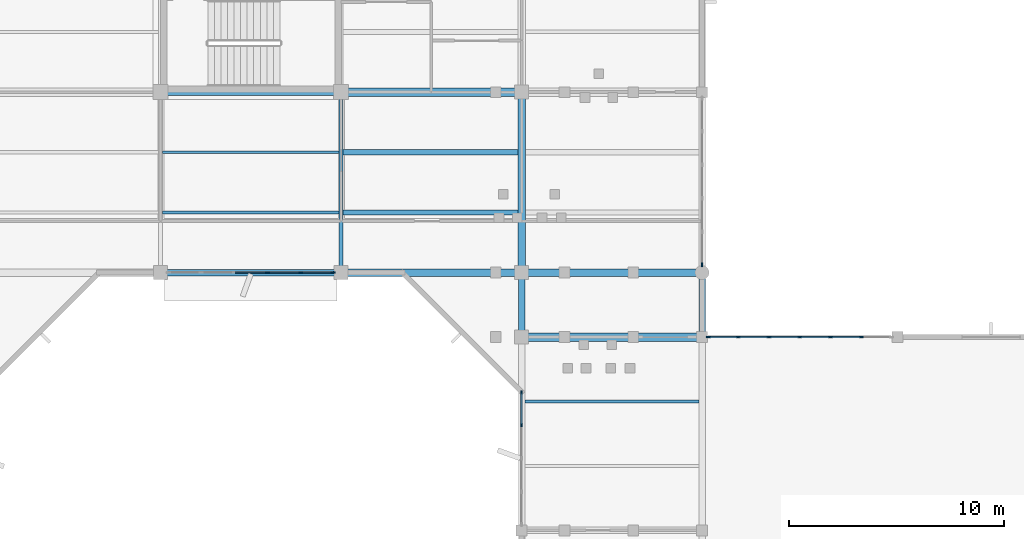
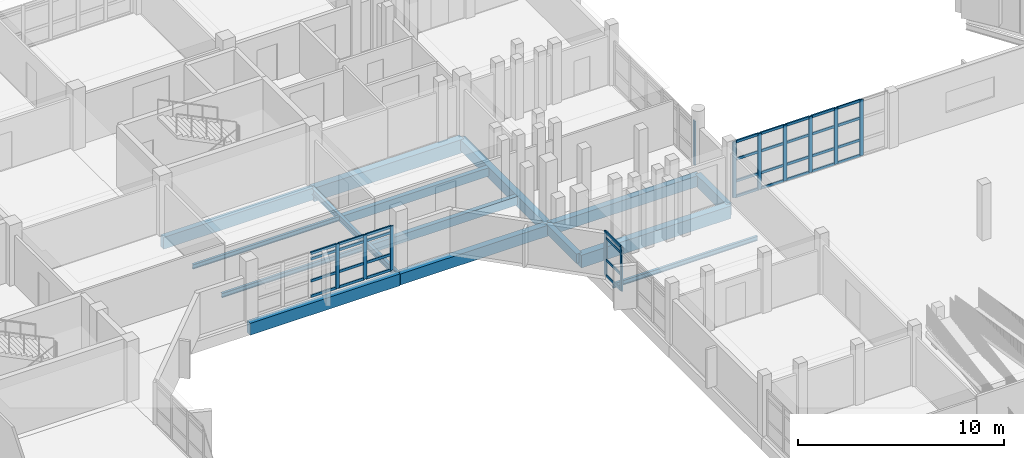
# One storey, part 40 of 104: 48 members, 15 beams, 4 elements without a shape of their own.
"""IFC4 building model written with IfcOpenShell, lengths in metres."""

from ifc_helpers import new_model, si_unit, direction, frame, origin, origin_2d, place, context, subcontext, project, spatial, rectangle, i_section, extrude, material, material_profile, profile_set, type_object, element, aggregate, save


model = new_model("IFC4")

# Units and contexts
model_context = context("Model", 3, precision=1e-05, world=origin(), true_north=direction((0.0, 1.0)))
body_context = subcontext(model_context, "Body", "Model", "MODEL_VIEW")
ifc_project = project(units=[si_unit("LENGTHUNIT", "METRE"), si_unit("AREAUNIT", "SQUARE_METRE"), si_unit("VOLUMEUNIT", "CUBIC_METRE"), si_unit("PLANEANGLEUNIT", "RADIAN"), si_unit("MASSUNIT", "GRAM", prefix="KILO")], contexts=[model_context])

# Site, building, storey
site_placement = place(None, origin())
site = spatial("IfcSite", under=ifc_project, at=site_placement, CompositionType="ELEMENT")
building_placement = place(site_placement, origin())
building = spatial("IfcBuilding", under=site, at=building_placement, Name="Vanh Quang Courtyard School", CompositionType="ELEMENT")
storey_placement = place(building_placement, frame((0.0, 0.0, 4.199951171875)))
storey = spatial("IfcBuildingStorey", under=building, at=storey_placement, Name="L01", CompositionType="ELEMENT", Elevation=4.199951171875)

# Beams
ifc_material_1 = material(Name="Concrete C35/45", Category="concrete")
ifc_material_profile_1 = material_profile(ifc_material_1, rectangle(XDim=0.300048828125, YDim=0.550048828125, at=origin_2d()), Name="RC-BM 300x550")
ifc_profile_set_1 = profile_set([ifc_material_profile_1], Name="Concrete C35/45")
beam_type_1 = type_object("IfcBeamType", Name="BM-RC-300x550", PredefinedType="BEAM", material=ifc_profile_set_1)
beam_1_placement = place(storey_placement, frame((111.0, 68.39990234375, -0.554931640625), z_axis=(0.0, 1.0, 0.0), x_axis=(-1.0, 0.0, 0.0)))
element("IfcBeam", 1, at=beam_1_placement, inside=storey, type_object=beam_type_1, Name="Beam B-07 (L01)", PredefinedType="BEAM", context=body_context, shape_type="SweptSolid", body=[
    extrude(rectangle(XDim=0.300048828125, YDim=0.550048828125, at=origin_2d()), origin(), (0.0, 0.0, 1.0), 3.0),
])
ifc_material_profile_2 = material_profile(ifc_material_1, rectangle(XDim=0.35009765625, YDim=0.64990234375, at=origin_2d()), Name="RC-BM 350x650")
ifc_profile_set_2 = profile_set([ifc_material_profile_2], Name="Concrete C35/45")
beam_type_2 = type_object("IfcBeamType", Name="BM-RC-350x650", PredefinedType="BEAM", material=ifc_profile_set_2)
for number, where, z_axis, x_axis, name in (
    (2, (102.60009765625, 71.39990234375, -0.60498046875), (1.0, 0.0, 0.0), (0.0, 1.0, 0.0), "Beam B-05 (L01)"),
    (3, (111.0, 71.39990234375, -0.60498046875), (1.0, 0.0, 0.0), (0.0, 1.0, 0.0), "Beam B-05 (L01)"),
):
    element("IfcBeam", number, at=place(storey_placement, frame(where, z_axis=z_axis, x_axis=x_axis)), inside=storey, type_object=beam_type_2, Name=name, PredefinedType="BEAM", context=body_context, shape_type="SweptSolid", body=[
        extrude(rectangle(XDim=0.35009765625, YDim=0.64990234375, at=origin_2d()), origin(), (0.0, 0.0, 1.0), 8.39990234375),
    ])
beam_2_placement = place(storey_placement, frame((111.0, 71.39990234375, -0.60498046875), z_axis=(0.0, 1.0, 0.0), x_axis=(-1.0, 0.0, 0.0)))
element("IfcBeam", 4, at=beam_2_placement, inside=storey, type_object=beam_type_2, Name="Beam B-05 (L01)", PredefinedType="BEAM", context=body_context, shape_type="SweptSolid", body=[
    extrude(rectangle(XDim=0.35009765625, YDim=0.64990234375, at=origin_2d()), origin(), (0.0, 0.0, 1.0), 8.400146484375),
])
ifc_material_profile_3 = material_profile(ifc_material_1, rectangle(XDim=0.39990234375, YDim=0.75, at=origin_2d()), Name="RC-BM 400x750")
ifc_profile_set_3 = profile_set([ifc_material_profile_3], Name="Concrete C35/45")
beam_type_3 = type_object("IfcBeamType", Name="BM-RC-400x750", PredefinedType="BEAM", material=ifc_profile_set_3)
beam_3_placement = place(storey_placement, frame((111.0, 68.39990234375, -0.655029296875), z_axis=(1.0, 0.0, 0.0), x_axis=(0.0, 1.0, 0.0)))
element("IfcBeam", 5, at=beam_3_placement, inside=storey, type_object=beam_type_3, Name="Beam B-03 (L01)", PredefinedType="BEAM", context=body_context, shape_type="SweptSolid", body=[
    extrude(rectangle(XDim=0.39990234375, YDim=0.75, at=origin_2d()), origin(), (0.0, 0.0, 1.0), 8.39990234375),
])
ifc_material_profile_4 = material_profile(ifc_material_1, rectangle(XDim=0.39990234375, YDim=0.800048828125, at=origin_2d()), Name="RC-BM 400x800")
ifc_profile_set_4 = profile_set([ifc_material_profile_4], Name="Concrete C35/45")
beam_type_4 = type_object("IfcBeamType", Name="BM-RC-400x800", PredefinedType="BEAM", material=ifc_profile_set_4)
beam_4_placement = place(storey_placement, frame((102.60009765625, 79.800048828125, -0.679931640625), z_axis=(1.0, 0.0, 0.0), x_axis=(0.0, 1.0, 0.0)))
element("IfcBeam", 6, at=beam_4_placement, inside=storey, type_object=beam_type_4, Name="Beam B-02 (L01)", PredefinedType="BEAM", context=body_context, shape_type="SweptSolid", body=[
    extrude(rectangle(XDim=0.39990234375, YDim=0.800048828125, at=origin_2d()), origin(), (0.0, 0.0, 1.0), 8.39990234375),
])
ifc_material_profile_5 = material_profile(ifc_material_1, rectangle(XDim=0.300048828125, YDim=0.699951171875, at=origin_2d()), Name="RC-SP 300x700")
ifc_profile_set_5 = profile_set([ifc_material_profile_5], Name="Concrete C35/45")
beam_type_5 = type_object("IfcBeamType", Name="BM-SP-300x700", PredefinedType="SPANDREL", material=ifc_profile_set_5)
for number, where, z_axis, x_axis, name in (
    (7, (94.199951171875, 71.39990234375, -0.6298828125), (1.0, 0.0, 0.0), (0.0, 1.0, 0.0), "Beam BS-01 (L01)"),
    (8, (94.199951171875, 79.800048828125, -0.6298828125), (1.0, 0.0, 0.0), (0.0, 1.0, 0.0), "Beam BS-01 (L01)"),
):
    element("IfcBeam", number, at=place(storey_placement, frame(where, z_axis=z_axis, x_axis=x_axis)), inside=storey, type_object=beam_type_5, Name=name, PredefinedType="SPANDREL", context=body_context, shape_type="SweptSolid", body=[
        extrude(rectangle(XDim=0.300048828125, YDim=0.699951171875, at=origin_2d()), origin(), (0.0, 0.0, 1.0), 8.400146484375),
    ])
beam_5_placement = place(storey_placement, frame((119.39990234375, 68.39990234375, -0.6298828125), z_axis=(0.0, 1.0, 0.0), x_axis=(-1.0, 0.0, 0.0)))
element("IfcBeam", 9, at=beam_5_placement, inside=storey, type_object=beam_type_5, Name="Beam BS-01 (L01)", PredefinedType="SPANDREL", context=body_context, shape_type="SweptSolid", body=[
    extrude(rectangle(XDim=0.300048828125, YDim=0.699951171875, at=origin_2d()), origin(), (0.0, 0.0, 1.0), 3.0),
])
ifc_material_2 = material(Name="Structural steel EN 10025-2 S355J2", Category="steel")
ifc_material_profile_6 = material_profile(ifc_material_2, i_section(OverallWidth=0.169921875, OverallDepth=0.360107421875, WebThickness=0.008056640625, FlangeThickness=0.0126953125, FilletRadius=0.01806640625, at=origin_2d()), Name="IPE 360")
ifc_profile_set_6 = profile_set([ifc_material_profile_6], Name="Structural steel EN 10025-2 S355J2")
beam_type_6 = type_object("IfcBeamType", Name="BM-STL-IPE360", PredefinedType="BEAM", material=ifc_profile_set_6)
beam_6_placement = place(storey_placement, frame((102.60009765625, 71.39990234375, -0.4599609375), z_axis=(0.0, 1.0, 0.0), x_axis=(-1.0, 0.0, 0.0)))
element("IfcBeam", 10, at=beam_6_placement, inside=storey, type_object=beam_type_6, Name="Beam SB-06 (L01)", PredefinedType="BEAM", context=body_context, shape_type="SweptSolid", body=[
    extrude(i_section(OverallWidth=0.169921875, OverallDepth=0.360107421875, WebThickness=0.008056640625, FlangeThickness=0.0126953125, FilletRadius=0.01806640625, at=origin_2d()), origin(), (0.0, 0.0, 1.0), 8.400146484375),
])

# Curtain wall, member
ifc_material_3 = material(Name="Thermally broken aluminium unitised curtain wall", Category="aluminium")
curtain_wall_type_1 = type_object("IfcCurtainWallType", Name="CW-SYS-24", PredefinedType="NOTDEFINED", material=ifc_material_3)
curtain_wall_1_placement = place(storey_placement, origin())
curtain_wall_1 = element("IfcCurtainWall", 11, at=curtain_wall_1_placement, inside=storey, type_object=curtain_wall_type_1, Name="Curtain Wall CW-24 (L01)", PredefinedType="NOTDEFINED")
ifc_material_4 = material(Name="Anodised aluminium 6063-T6", Category="aluminium")
ifc_material_profile_7 = material_profile(ifc_material_4, rectangle(XDim=0.070068359375, YDim=0.179931640625, at=origin_2d()), Name="ALU-MUL 70x180")
ifc_profile_set_7 = profile_set([ifc_material_profile_7], Name="Anodised aluminium 6063-T6")
member_type_1 = type_object("IfcMemberType", Name="CW-MUL-70x180", PredefinedType="MULLION", material=ifc_profile_set_7)
member_1_placement = place(storey_placement, frame((119.39990234375, 71.76806640625, 0.0), z_axis=(0.0, 0.0, 1.0), x_axis=(1.0, 0.0, 0.0)))
member_1 = element("IfcMember", 12, at=member_1_placement, type_object=member_type_1, Name="CW-24 mullion 6", PredefinedType="MULLION", context=body_context, shape_type="SweptSolid", body=[
    extrude(rectangle(XDim=0.070068359375, YDim=0.179931640625, at=origin_2d()), origin(), (0.0, 0.0, 1.0), 2.6201171875),
])
aggregate(curtain_wall_1, [member_1])

# Curtain wall, members
curtain_wall_type_2 = type_object("IfcCurtainWallType", Name="CW-SYS-44", PredefinedType="NOTDEFINED", material=ifc_material_3)
curtain_wall_2_placement = place(storey_placement, origin())
curtain_wall_2 = element("IfcCurtainWall", 13, at=curtain_wall_2_placement, inside=storey, type_object=curtain_wall_type_2, Name="Curtain Wall CW-44 (L01)", PredefinedType="NOTDEFINED")
member_2_placement = place(storey_placement, frame((111.0, 64.306396484375, 0.0), z_axis=(0.0, 0.0, 1.0), x_axis=(-1.0, 0.0, 0.0)))
member_2 = element("IfcMember", 14, at=member_2_placement, type_object=member_type_1, Name="CW-44 mullion 4", PredefinedType="MULLION", context=body_context, shape_type="SweptSolid", body=[
    extrude(rectangle(XDim=0.070068359375, YDim=0.179931640625, at=origin_2d()), origin(), (0.0, 0.0, 1.0), 2.6201171875),
])
member_3_placement = place(storey_placement, frame((111.0, 65.821044921875, 0.0), z_axis=(0.0, 0.0, 1.0), x_axis=(-1.0, 0.0, 0.0)))
member_3 = element("IfcMember", 15, at=member_3_placement, type_object=member_type_1, Name="CW-44 mullion 5", PredefinedType="MULLION", context=body_context, shape_type="SweptSolid", body=[
    extrude(rectangle(XDim=0.070068359375, YDim=0.179931640625, at=origin_2d()), origin(), (0.0, 0.0, 1.0), 2.6201171875),
])

curtain_wall_type_3 = type_object("IfcCurtainWallType", Name="CW-SYS-25", PredefinedType="NOTDEFINED", material=ifc_material_3)
curtain_wall_3_placement = place(storey_placement, origin())
curtain_wall_3 = element("IfcCurtainWall", 16, at=curtain_wall_3_placement, inside=storey, type_object=curtain_wall_type_3, Name="Curtain Wall CW-25 (L01)", PredefinedType="NOTDEFINED")
ifc_material_profile_8 = material_profile(ifc_material_4, rectangle(XDim=0.080078125, YDim=0.199951171875, at=origin_2d()), Name="ALU-MUL 80x200")
ifc_profile_set_8 = profile_set([ifc_material_profile_8], Name="Anodised aluminium 6063-T6")
member_type_2 = type_object("IfcMemberType", Name="CW-MUL-80x200", PredefinedType="MULLION", material=ifc_profile_set_8)
member_4_placement = place(storey_placement, frame((119.697998046875, 68.39990234375, 0.0), z_axis=(0.0, 0.0, 1.0), x_axis=(0.0, 1.0, 0.0)))
member_4 = element("IfcMember", 17, at=member_4_placement, type_object=member_type_2, Name="CW-25 mullion 1", PredefinedType="MULLION", context=body_context, shape_type="SweptSolid", body=[
    extrude(rectangle(XDim=0.080078125, YDim=0.199951171875, at=origin_2d()), origin(), (0.0, 0.0, 1.0), 3.320068359375),
])
member_5_placement = place(storey_placement, frame((121.088623046875, 68.39990234375, 0.0), z_axis=(0.0, 0.0, 1.0), x_axis=(0.0, 1.0, 0.0)))
member_5 = element("IfcMember", 18, at=member_5_placement, type_object=member_type_2, Name="CW-25 mullion 2", PredefinedType="MULLION", context=body_context, shape_type="SweptSolid", body=[
    extrude(rectangle(XDim=0.080078125, YDim=0.199951171875, at=origin_2d()), origin(), (0.0, 0.0, 1.0), 3.320068359375),
])
member_6_placement = place(storey_placement, frame((122.519287109375, 68.39990234375, 0.0), z_axis=(0.0, 0.0, 1.0), x_axis=(0.0, 1.0, 0.0)))
member_6 = element("IfcMember", 19, at=member_6_placement, type_object=member_type_2, Name="CW-25 mullion 3", PredefinedType="MULLION", context=body_context, shape_type="SweptSolid", body=[
    extrude(rectangle(XDim=0.080078125, YDim=0.199951171875, at=origin_2d()), origin(), (0.0, 0.0, 1.0), 3.320068359375),
])
member_7_placement = place(storey_placement, frame((123.949951171875, 68.39990234375, 0.0), z_axis=(0.0, 0.0, 1.0), x_axis=(0.0, 1.0, 0.0)))
member_7 = element("IfcMember", 20, at=member_7_placement, type_object=member_type_2, Name="CW-25 mullion 4", PredefinedType="MULLION", context=body_context, shape_type="SweptSolid", body=[
    extrude(rectangle(XDim=0.080078125, YDim=0.199951171875, at=origin_2d()), origin(), (0.0, 0.0, 1.0), 3.320068359375),
])
member_8_placement = place(storey_placement, frame((125.380615234375, 68.39990234375, 0.0), z_axis=(0.0, 0.0, 1.0), x_axis=(0.0, 1.0, 0.0)))
member_8 = element("IfcMember", 21, at=member_8_placement, type_object=member_type_2, Name="CW-25 mullion 5", PredefinedType="MULLION", context=body_context, shape_type="SweptSolid", body=[
    extrude(rectangle(XDim=0.080078125, YDim=0.199951171875, at=origin_2d()), origin(), (0.0, 0.0, 1.0), 3.320068359375),
])
member_9_placement = place(storey_placement, frame((126.811279296875, 68.39990234375, 0.0), z_axis=(0.0, 0.0, 1.0), x_axis=(0.0, 1.0, 0.0)))
member_9 = element("IfcMember", 22, at=member_9_placement, type_object=member_type_2, Name="CW-25 mullion 6", PredefinedType="MULLION", context=body_context, shape_type="SweptSolid", body=[
    extrude(rectangle(XDim=0.080078125, YDim=0.199951171875, at=origin_2d()), origin(), (0.0, 0.0, 1.0), 3.320068359375),
])

curtain_wall_type_4 = type_object("IfcCurtainWallType", Name="CW-SYS-21", PredefinedType="NOTDEFINED", material=ifc_material_3)
curtain_wall_4_placement = place(storey_placement, origin())
curtain_wall_4 = element("IfcCurtainWall", 23, at=curtain_wall_4_placement, inside=storey, type_object=curtain_wall_type_4, Name="Curtain Wall CW-21 (L01)", PredefinedType="NOTDEFINED")
member_10_placement = place(storey_placement, frame((102.22705078125, 71.39990234375, 0.0), z_axis=(0.0, 0.0, 1.0), x_axis=(0.0, -1.0, 0.0)))
member_10 = element("IfcMember", 24, at=member_10_placement, type_object=member_type_2, Name="CW-21 mullion 1", PredefinedType="MULLION", context=body_context, shape_type="SweptSolid", body=[
    extrude(rectangle(XDim=0.080078125, YDim=0.199951171875, at=origin_2d()), origin(), (0.0, 0.0, 1.0), 2.6201171875),
])
member_11_placement = place(storey_placement, frame((100.72021484375, 71.39990234375, 0.0), z_axis=(0.0, 0.0, 1.0), x_axis=(0.0, -1.0, 0.0)))
member_11 = element("IfcMember", 25, at=member_11_placement, type_object=member_type_2, Name="CW-21 mullion 2", PredefinedType="MULLION", context=body_context, shape_type="SweptSolid", body=[
    extrude(rectangle(XDim=0.080078125, YDim=0.199951171875, at=origin_2d()), origin(), (0.0, 0.0, 1.0), 2.6201171875),
])
member_12_placement = place(storey_placement, frame((99.17333984375, 71.39990234375, 0.0), z_axis=(0.0, 0.0, 1.0), x_axis=(0.0, -1.0, 0.0)))
member_12 = element("IfcMember", 26, at=member_12_placement, type_object=member_type_2, Name="CW-21 mullion 3", PredefinedType="MULLION", context=body_context, shape_type="SweptSolid", body=[
    extrude(rectangle(XDim=0.080078125, YDim=0.199951171875, at=origin_2d()), origin(), (0.0, 0.0, 1.0), 2.6201171875),
])

# Member
ifc_material_profile_9 = material_profile(ifc_material_4, rectangle(XDim=0.070068359375, YDim=0.139892578125, at=origin_2d()), Name="ALU-TRN 70x140")
ifc_profile_set_9 = profile_set([ifc_material_profile_9], Name="Anodised aluminium 6063-T6")
member_type_3 = type_object("IfcMemberType", Name="CW-TRN-70x140", PredefinedType="USERDEFINED", material=ifc_profile_set_9)
member_13_placement = place(storey_placement, frame((111.0, 64.341552734375, 0.03515625), z_axis=(0.0, 1.0, 0.0), x_axis=(-1.0, 0.0, 0.0)))
member_13 = element("IfcMember", 27, at=member_13_placement, type_object=member_type_3, Name="CW-44 transom 4.1", ObjectType="TRANSOM", PredefinedType="USERDEFINED", context=body_context, shape_type="SweptSolid", body=[
    extrude(rectangle(XDim=0.070068359375, YDim=0.139892578125, at=origin_2d()), origin(), (0.0, 0.0, 1.0), 1.4443359375),
])

member_14_placement = place(storey_placement, frame((111.0, 64.341552734375, 0.949951171875), z_axis=(0.0, 1.0, 0.0), x_axis=(-1.0, 0.0, 0.0)))
member_14 = element("IfcMember", 28, at=member_14_placement, type_object=member_type_3, Name="CW-44 transom 4.2", ObjectType="TRANSOM", PredefinedType="USERDEFINED", context=body_context, shape_type="SweptSolid", body=[
    extrude(rectangle(XDim=0.070068359375, YDim=0.139892578125, at=origin_2d()), origin(), (0.0, 0.0, 1.0), 1.4443359375),
])

member_15_placement = place(storey_placement, frame((111.0, 64.341552734375, 2.25), z_axis=(0.0, 1.0, 0.0), x_axis=(-1.0, 0.0, 0.0)))
member_15 = element("IfcMember", 29, at=member_15_placement, type_object=member_type_3, Name="CW-44 transom 4.3", ObjectType="TRANSOM", PredefinedType="USERDEFINED", context=body_context, shape_type="SweptSolid", body=[
    extrude(rectangle(XDim=0.070068359375, YDim=0.139892578125, at=origin_2d()), origin(), (0.0, 0.0, 1.0), 1.4443359375),
])

member_16_placement = place(storey_placement, frame((111.0, 64.341552734375, 2.5849609375), z_axis=(0.0, 1.0, 0.0), x_axis=(-1.0, 0.0, 0.0)))
member_16 = element("IfcMember", 30, at=member_16_placement, type_object=member_type_3, Name="CW-44 transom 4.4", ObjectType="TRANSOM", PredefinedType="USERDEFINED", context=body_context, shape_type="SweptSolid", body=[
    extrude(rectangle(XDim=0.070068359375, YDim=0.139892578125, at=origin_2d()), origin(), (0.0, 0.0, 1.0), 1.4443359375),
])

aggregate(curtain_wall_2, [member_2, member_3, member_13, member_14, member_15, member_16])

ifc_material_profile_10 = material_profile(ifc_material_4, rectangle(XDim=0.080078125, YDim=0.14990234375, at=origin_2d()), Name="ALU-TRN 80x150")
ifc_profile_set_10 = profile_set([ifc_material_profile_10], Name="Anodised aluminium 6063-T6")
member_type_4 = type_object("IfcMemberType", Name="CW-TRN-80x150", PredefinedType="USERDEFINED", material=ifc_profile_set_10)
member_17_placement = place(storey_placement, frame((119.738037109375, 68.39990234375, 0.0400390625), z_axis=(1.0, 0.0, 0.0), x_axis=(0.0, 1.0, 0.0)))
member_17 = element("IfcMember", 31, at=member_17_placement, type_object=member_type_4, Name="CW-25 transom 1.1", ObjectType="TRANSOM", PredefinedType="USERDEFINED", context=body_context, shape_type="SweptSolid", body=[
    extrude(rectangle(XDim=0.080078125, YDim=0.14990234375, at=origin_2d()), origin(), (0.0, 0.0, 1.0), 1.310546875),
])

member_18_placement = place(storey_placement, frame((119.738037109375, 68.39990234375, 0.949951171875), z_axis=(1.0, 0.0, 0.0), x_axis=(0.0, 1.0, 0.0)))
member_18 = element("IfcMember", 32, at=member_18_placement, type_object=member_type_4, Name="CW-25 transom 1.2", ObjectType="TRANSOM", PredefinedType="USERDEFINED", context=body_context, shape_type="SweptSolid", body=[
    extrude(rectangle(XDim=0.080078125, YDim=0.14990234375, at=origin_2d()), origin(), (0.0, 0.0, 1.0), 1.310546875),
])

member_19_placement = place(storey_placement, frame((119.738037109375, 68.39990234375, 2.25), z_axis=(1.0, 0.0, 0.0), x_axis=(0.0, 1.0, 0.0)))
member_19 = element("IfcMember", 33, at=member_19_placement, type_object=member_type_4, Name="CW-25 transom 1.3", ObjectType="TRANSOM", PredefinedType="USERDEFINED", context=body_context, shape_type="SweptSolid", body=[
    extrude(rectangle(XDim=0.080078125, YDim=0.14990234375, at=origin_2d()), origin(), (0.0, 0.0, 1.0), 1.310546875),
])

member_20_placement = place(storey_placement, frame((119.738037109375, 68.39990234375, 3.280029296875), z_axis=(1.0, 0.0, 0.0), x_axis=(0.0, 1.0, 0.0)))
member_20 = element("IfcMember", 34, at=member_20_placement, type_object=member_type_4, Name="CW-25 transom 1.4", ObjectType="TRANSOM", PredefinedType="USERDEFINED", context=body_context, shape_type="SweptSolid", body=[
    extrude(rectangle(XDim=0.080078125, YDim=0.14990234375, at=origin_2d()), origin(), (0.0, 0.0, 1.0), 1.310546875),
])

member_21_placement = place(storey_placement, frame((121.128662109375, 68.39990234375, 0.0400390625), z_axis=(1.0, 0.0, 0.0), x_axis=(0.0, 1.0, 0.0)))
member_21 = element("IfcMember", 35, at=member_21_placement, type_object=member_type_4, Name="CW-25 transom 2.1", ObjectType="TRANSOM", PredefinedType="USERDEFINED", context=body_context, shape_type="SweptSolid", body=[
    extrude(rectangle(XDim=0.080078125, YDim=0.14990234375, at=origin_2d()), origin(), (0.0, 0.0, 1.0), 1.3505859375),
])

member_22_placement = place(storey_placement, frame((121.128662109375, 68.39990234375, 0.949951171875), z_axis=(1.0, 0.0, 0.0), x_axis=(0.0, 1.0, 0.0)))
member_22 = element("IfcMember", 36, at=member_22_placement, type_object=member_type_4, Name="CW-25 transom 2.2", ObjectType="TRANSOM", PredefinedType="USERDEFINED", context=body_context, shape_type="SweptSolid", body=[
    extrude(rectangle(XDim=0.080078125, YDim=0.14990234375, at=origin_2d()), origin(), (0.0, 0.0, 1.0), 1.3505859375),
])

member_23_placement = place(storey_placement, frame((121.128662109375, 68.39990234375, 2.25), z_axis=(1.0, 0.0, 0.0), x_axis=(0.0, 1.0, 0.0)))
member_23 = element("IfcMember", 37, at=member_23_placement, type_object=member_type_4, Name="CW-25 transom 2.3", ObjectType="TRANSOM", PredefinedType="USERDEFINED", context=body_context, shape_type="SweptSolid", body=[
    extrude(rectangle(XDim=0.080078125, YDim=0.14990234375, at=origin_2d()), origin(), (0.0, 0.0, 1.0), 1.3505859375),
])

member_24_placement = place(storey_placement, frame((121.128662109375, 68.39990234375, 3.280029296875), z_axis=(1.0, 0.0, 0.0), x_axis=(0.0, 1.0, 0.0)))
member_24 = element("IfcMember", 38, at=member_24_placement, type_object=member_type_4, Name="CW-25 transom 2.4", ObjectType="TRANSOM", PredefinedType="USERDEFINED", context=body_context, shape_type="SweptSolid", body=[
    extrude(rectangle(XDim=0.080078125, YDim=0.14990234375, at=origin_2d()), origin(), (0.0, 0.0, 1.0), 1.3505859375),
])

member_25_placement = place(storey_placement, frame((122.559326171875, 68.39990234375, 0.0400390625), z_axis=(1.0, 0.0, 0.0), x_axis=(0.0, 1.0, 0.0)))
member_25 = element("IfcMember", 39, at=member_25_placement, type_object=member_type_4, Name="CW-25 transom 3.1", ObjectType="TRANSOM", PredefinedType="USERDEFINED", context=body_context, shape_type="SweptSolid", body=[
    extrude(rectangle(XDim=0.080078125, YDim=0.14990234375, at=origin_2d()), origin(), (0.0, 0.0, 1.0), 1.3505859375),
])

member_26_placement = place(storey_placement, frame((122.559326171875, 68.39990234375, 0.949951171875), z_axis=(1.0, 0.0, 0.0), x_axis=(0.0, 1.0, 0.0)))
member_26 = element("IfcMember", 40, at=member_26_placement, type_object=member_type_4, Name="CW-25 transom 3.2", ObjectType="TRANSOM", PredefinedType="USERDEFINED", context=body_context, shape_type="SweptSolid", body=[
    extrude(rectangle(XDim=0.080078125, YDim=0.14990234375, at=origin_2d()), origin(), (0.0, 0.0, 1.0), 1.3505859375),
])

member_27_placement = place(storey_placement, frame((122.559326171875, 68.39990234375, 2.25), z_axis=(1.0, 0.0, 0.0), x_axis=(0.0, 1.0, 0.0)))
member_27 = element("IfcMember", 41, at=member_27_placement, type_object=member_type_4, Name="CW-25 transom 3.3", ObjectType="TRANSOM", PredefinedType="USERDEFINED", context=body_context, shape_type="SweptSolid", body=[
    extrude(rectangle(XDim=0.080078125, YDim=0.14990234375, at=origin_2d()), origin(), (0.0, 0.0, 1.0), 1.3505859375),
])

member_28_placement = place(storey_placement, frame((122.559326171875, 68.39990234375, 3.280029296875), z_axis=(1.0, 0.0, 0.0), x_axis=(0.0, 1.0, 0.0)))
member_28 = element("IfcMember", 42, at=member_28_placement, type_object=member_type_4, Name="CW-25 transom 3.4", ObjectType="TRANSOM", PredefinedType="USERDEFINED", context=body_context, shape_type="SweptSolid", body=[
    extrude(rectangle(XDim=0.080078125, YDim=0.14990234375, at=origin_2d()), origin(), (0.0, 0.0, 1.0), 1.3505859375),
])

member_29_placement = place(storey_placement, frame((123.989990234375, 68.39990234375, 0.0400390625), z_axis=(1.0, 0.0, 0.0), x_axis=(0.0, 1.0, 0.0)))
member_29 = element("IfcMember", 43, at=member_29_placement, type_object=member_type_4, Name="CW-25 transom 4.1", ObjectType="TRANSOM", PredefinedType="USERDEFINED", context=body_context, shape_type="SweptSolid", body=[
    extrude(rectangle(XDim=0.080078125, YDim=0.14990234375, at=origin_2d()), origin(), (0.0, 0.0, 1.0), 1.3505859375),
])

member_30_placement = place(storey_placement, frame((123.989990234375, 68.39990234375, 0.949951171875), z_axis=(1.0, 0.0, 0.0), x_axis=(0.0, 1.0, 0.0)))
member_30 = element("IfcMember", 44, at=member_30_placement, type_object=member_type_4, Name="CW-25 transom 4.2", ObjectType="TRANSOM", PredefinedType="USERDEFINED", context=body_context, shape_type="SweptSolid", body=[
    extrude(rectangle(XDim=0.080078125, YDim=0.14990234375, at=origin_2d()), origin(), (0.0, 0.0, 1.0), 1.3505859375),
])

member_31_placement = place(storey_placement, frame((123.989990234375, 68.39990234375, 2.25), z_axis=(1.0, 0.0, 0.0), x_axis=(0.0, 1.0, 0.0)))
member_31 = element("IfcMember", 45, at=member_31_placement, type_object=member_type_4, Name="CW-25 transom 4.3", ObjectType="TRANSOM", PredefinedType="USERDEFINED", context=body_context, shape_type="SweptSolid", body=[
    extrude(rectangle(XDim=0.080078125, YDim=0.14990234375, at=origin_2d()), origin(), (0.0, 0.0, 1.0), 1.3505859375),
])

member_32_placement = place(storey_placement, frame((123.989990234375, 68.39990234375, 3.280029296875), z_axis=(1.0, 0.0, 0.0), x_axis=(0.0, 1.0, 0.0)))
member_32 = element("IfcMember", 46, at=member_32_placement, type_object=member_type_4, Name="CW-25 transom 4.4", ObjectType="TRANSOM", PredefinedType="USERDEFINED", context=body_context, shape_type="SweptSolid", body=[
    extrude(rectangle(XDim=0.080078125, YDim=0.14990234375, at=origin_2d()), origin(), (0.0, 0.0, 1.0), 1.3505859375),
])

member_33_placement = place(storey_placement, frame((125.420654296875, 68.39990234375, 0.0400390625), z_axis=(1.0, 0.0, 0.0), x_axis=(0.0, 1.0, 0.0)))
member_33 = element("IfcMember", 47, at=member_33_placement, type_object=member_type_4, Name="CW-25 transom 5.1", ObjectType="TRANSOM", PredefinedType="USERDEFINED", context=body_context, shape_type="SweptSolid", body=[
    extrude(rectangle(XDim=0.080078125, YDim=0.14990234375, at=origin_2d()), origin(), (0.0, 0.0, 1.0), 1.3505859375),
])

member_34_placement = place(storey_placement, frame((125.420654296875, 68.39990234375, 0.949951171875), z_axis=(1.0, 0.0, 0.0), x_axis=(0.0, 1.0, 0.0)))
member_34 = element("IfcMember", 48, at=member_34_placement, type_object=member_type_4, Name="CW-25 transom 5.2", ObjectType="TRANSOM", PredefinedType="USERDEFINED", context=body_context, shape_type="SweptSolid", body=[
    extrude(rectangle(XDim=0.080078125, YDim=0.14990234375, at=origin_2d()), origin(), (0.0, 0.0, 1.0), 1.3505859375),
])

member_35_placement = place(storey_placement, frame((125.420654296875, 68.39990234375, 2.25), z_axis=(1.0, 0.0, 0.0), x_axis=(0.0, 1.0, 0.0)))
member_35 = element("IfcMember", 49, at=member_35_placement, type_object=member_type_4, Name="CW-25 transom 5.3", ObjectType="TRANSOM", PredefinedType="USERDEFINED", context=body_context, shape_type="SweptSolid", body=[
    extrude(rectangle(XDim=0.080078125, YDim=0.14990234375, at=origin_2d()), origin(), (0.0, 0.0, 1.0), 1.3505859375),
])

member_36_placement = place(storey_placement, frame((125.420654296875, 68.39990234375, 3.280029296875), z_axis=(1.0, 0.0, 0.0), x_axis=(0.0, 1.0, 0.0)))
member_36 = element("IfcMember", 50, at=member_36_placement, type_object=member_type_4, Name="CW-25 transom 5.4", ObjectType="TRANSOM", PredefinedType="USERDEFINED", context=body_context, shape_type="SweptSolid", body=[
    extrude(rectangle(XDim=0.080078125, YDim=0.14990234375, at=origin_2d()), origin(), (0.0, 0.0, 1.0), 1.3505859375),
])

aggregate(curtain_wall_3, [member_4, member_5, member_6, member_7, member_8, member_9, member_17, member_18, member_19, member_20, member_21, member_22, member_23, member_24, member_25, member_26, member_27, member_28, member_29, member_30, member_31, member_32, member_33, member_34, member_35, member_36])

member_37_placement = place(storey_placement, frame((102.18701171875, 71.39990234375, 0.0400390625), z_axis=(-1.0, 0.0, 0.0), x_axis=(0.0, -1.0, 0.0)))
member_37 = element("IfcMember", 51, at=member_37_placement, type_object=member_type_4, Name="CW-21 transom 1.1", ObjectType="TRANSOM", PredefinedType="USERDEFINED", context=body_context, shape_type="SweptSolid", body=[
    extrude(rectangle(XDim=0.080078125, YDim=0.14990234375, at=origin_2d()), origin(), (0.0, 0.0, 1.0), 1.4267578125),
])

member_38_placement = place(storey_placement, frame((102.18701171875, 71.39990234375, 0.949951171875), z_axis=(-1.0, 0.0, 0.0), x_axis=(0.0, -1.0, 0.0)))
member_38 = element("IfcMember", 52, at=member_38_placement, type_object=member_type_4, Name="CW-21 transom 1.2", ObjectType="TRANSOM", PredefinedType="USERDEFINED", context=body_context, shape_type="SweptSolid", body=[
    extrude(rectangle(XDim=0.080078125, YDim=0.14990234375, at=origin_2d()), origin(), (0.0, 0.0, 1.0), 1.4267578125),
])

member_39_placement = place(storey_placement, frame((102.18701171875, 71.39990234375, 2.25), z_axis=(-1.0, 0.0, 0.0), x_axis=(0.0, -1.0, 0.0)))
member_39 = element("IfcMember", 53, at=member_39_placement, type_object=member_type_4, Name="CW-21 transom 1.3", ObjectType="TRANSOM", PredefinedType="USERDEFINED", context=body_context, shape_type="SweptSolid", body=[
    extrude(rectangle(XDim=0.080078125, YDim=0.14990234375, at=origin_2d()), origin(), (0.0, 0.0, 1.0), 1.4267578125),
])

member_40_placement = place(storey_placement, frame((102.18701171875, 71.39990234375, 2.580078125), z_axis=(-1.0, 0.0, 0.0), x_axis=(0.0, -1.0, 0.0)))
member_40 = element("IfcMember", 54, at=member_40_placement, type_object=member_type_4, Name="CW-21 transom 1.4", ObjectType="TRANSOM", PredefinedType="USERDEFINED", context=body_context, shape_type="SweptSolid", body=[
    extrude(rectangle(XDim=0.080078125, YDim=0.14990234375, at=origin_2d()), origin(), (0.0, 0.0, 1.0), 1.4267578125),
])

member_41_placement = place(storey_placement, frame((100.68017578125, 71.39990234375, 0.0400390625), z_axis=(-1.0, 0.0, 0.0), x_axis=(0.0, -1.0, 0.0)))
member_41 = element("IfcMember", 55, at=member_41_placement, type_object=member_type_4, Name="CW-21 transom 2.1", ObjectType="TRANSOM", PredefinedType="USERDEFINED", context=body_context, shape_type="SweptSolid", body=[
    extrude(rectangle(XDim=0.080078125, YDim=0.14990234375, at=origin_2d()), origin(), (0.0, 0.0, 1.0), 1.466796875),
])

member_42_placement = place(storey_placement, frame((100.68017578125, 71.39990234375, 0.949951171875), z_axis=(-1.0, 0.0, 0.0), x_axis=(0.0, -1.0, 0.0)))
member_42 = element("IfcMember", 56, at=member_42_placement, type_object=member_type_4, Name="CW-21 transom 2.2", ObjectType="TRANSOM", PredefinedType="USERDEFINED", context=body_context, shape_type="SweptSolid", body=[
    extrude(rectangle(XDim=0.080078125, YDim=0.14990234375, at=origin_2d()), origin(), (0.0, 0.0, 1.0), 1.466796875),
])

member_43_placement = place(storey_placement, frame((100.68017578125, 71.39990234375, 2.25), z_axis=(-1.0, 0.0, 0.0), x_axis=(0.0, -1.0, 0.0)))
member_43 = element("IfcMember", 57, at=member_43_placement, type_object=member_type_4, Name="CW-21 transom 2.3", ObjectType="TRANSOM", PredefinedType="USERDEFINED", context=body_context, shape_type="SweptSolid", body=[
    extrude(rectangle(XDim=0.080078125, YDim=0.14990234375, at=origin_2d()), origin(), (0.0, 0.0, 1.0), 1.466796875),
])

member_44_placement = place(storey_placement, frame((100.68017578125, 71.39990234375, 2.580078125), z_axis=(-1.0, 0.0, 0.0), x_axis=(0.0, -1.0, 0.0)))
member_44 = element("IfcMember", 58, at=member_44_placement, type_object=member_type_4, Name="CW-21 transom 2.4", ObjectType="TRANSOM", PredefinedType="USERDEFINED", context=body_context, shape_type="SweptSolid", body=[
    extrude(rectangle(XDim=0.080078125, YDim=0.14990234375, at=origin_2d()), origin(), (0.0, 0.0, 1.0), 1.466796875),
])

member_45_placement = place(storey_placement, frame((99.13330078125, 71.39990234375, 0.0400390625), z_axis=(-1.0, 0.0, 0.0), x_axis=(0.0, -1.0, 0.0)))
member_45 = element("IfcMember", 59, at=member_45_placement, type_object=member_type_4, Name="CW-21 transom 3.1", ObjectType="TRANSOM", PredefinedType="USERDEFINED", context=body_context, shape_type="SweptSolid", body=[
    extrude(rectangle(XDim=0.080078125, YDim=0.14990234375, at=origin_2d()), origin(), (0.0, 0.0, 1.0), 1.466796875),
])

member_46_placement = place(storey_placement, frame((99.13330078125, 71.39990234375, 0.949951171875), z_axis=(-1.0, 0.0, 0.0), x_axis=(0.0, -1.0, 0.0)))
member_46 = element("IfcMember", 60, at=member_46_placement, type_object=member_type_4, Name="CW-21 transom 3.2", ObjectType="TRANSOM", PredefinedType="USERDEFINED", context=body_context, shape_type="SweptSolid", body=[
    extrude(rectangle(XDim=0.080078125, YDim=0.14990234375, at=origin_2d()), origin(), (0.0, 0.0, 1.0), 1.466796875),
])

member_47_placement = place(storey_placement, frame((99.13330078125, 71.39990234375, 2.25), z_axis=(-1.0, 0.0, 0.0), x_axis=(0.0, -1.0, 0.0)))
member_47 = element("IfcMember", 61, at=member_47_placement, type_object=member_type_4, Name="CW-21 transom 3.3", ObjectType="TRANSOM", PredefinedType="USERDEFINED", context=body_context, shape_type="SweptSolid", body=[
    extrude(rectangle(XDim=0.080078125, YDim=0.14990234375, at=origin_2d()), origin(), (0.0, 0.0, 1.0), 1.466796875),
])

member_48_placement = place(storey_placement, frame((99.13330078125, 71.39990234375, 2.580078125), z_axis=(-1.0, 0.0, 0.0), x_axis=(0.0, -1.0, 0.0)))
member_48 = element("IfcMember", 62, at=member_48_placement, type_object=member_type_4, Name="CW-21 transom 3.4", ObjectType="TRANSOM", PredefinedType="USERDEFINED", context=body_context, shape_type="SweptSolid", body=[
    extrude(rectangle(XDim=0.080078125, YDim=0.14990234375, at=origin_2d()), origin(), (0.0, 0.0, 1.0), 1.466796875),
])

aggregate(curtain_wall_4, [member_10, member_11, member_12, member_37, member_38, member_39, member_40, member_41, member_42, member_43, member_44, member_45, member_46, member_47, member_48])

# Beams
ifc_material_5 = material(Name="Concrete C30/37", Category="concrete")
ifc_material_profile_11 = material_profile(ifc_material_5, rectangle(XDim=0.25, YDim=0.5, at=origin_2d()), Name="RC-JST 250x500")
ifc_profile_set_11 = profile_set([ifc_material_profile_11], Name="Concrete C30/37")
beam_type_7 = type_object("IfcBeamType", Name="JST-RC-250x500", PredefinedType="JOIST", material=ifc_profile_set_11)
for number, where, z_axis, x_axis, name in (
    (63, (102.68505859375, 74.199951171875, -0.530029296875), (1.0, 0.0, 0.0), (0.0, 1.0, 0.0), "Beam BJ-01 (L01)"),
    (64, (102.68505859375, 77.0, -0.530029296875), (1.0, 0.0, 0.0), (0.0, 1.0, 0.0), "Beam BJ-01 (L01)"),
):
    element("IfcBeam", number, at=place(storey_placement, frame(where, z_axis=z_axis, x_axis=x_axis)), inside=storey, type_object=beam_type_7, Name=name, PredefinedType="JOIST", context=body_context, shape_type="SweptSolid", body=[
        extrude(rectangle(XDim=0.25, YDim=0.5, at=origin_2d()), origin(), (0.0, 0.0, 1.0), 8.139892578125),
    ])
ifc_material_profile_12 = material_profile(ifc_material_2, i_section(OverallWidth=0.135009765625, OverallDepth=0.27001953125, WebThickness=0.006591796875, FlangeThickness=0.01025390625, FilletRadius=0.014892578125, at=origin_2d()), Name="IPE 270")
ifc_profile_set_12 = profile_set([ifc_material_profile_12], Name="Structural steel EN 10025-2 S355J2")
beam_type_8 = type_object("IfcBeamType", Name="JST-STL-IPE270", PredefinedType="JOIST", material=ifc_profile_set_12)
for number, where, z_axis, x_axis, name in (
    (65, (94.2900390625, 74.199951171875, -0.4150390625), (1.0, 0.0, 0.0), (0.0, 1.0, 0.0), "Beam SJ-03 (L01)"),
    (66, (94.2900390625, 77.0, -0.4150390625), (1.0, 0.0, 0.0), (0.0, 1.0, 0.0), "Beam SJ-03 (L01)"),
):
    element("IfcBeam", number, at=place(storey_placement, frame(where, z_axis=z_axis, x_axis=x_axis)), inside=storey, type_object=beam_type_8, Name=name, PredefinedType="JOIST", context=body_context, shape_type="SweptSolid", body=[
        extrude(i_section(OverallWidth=0.135009765625, OverallDepth=0.27001953125, WebThickness=0.006591796875, FlangeThickness=0.01025390625, FilletRadius=0.014892578125, at=origin_2d()), origin(), (0.0, 0.0, 1.0), 8.224853515625),
    ])
beam_7_placement = place(storey_placement, frame((111.14990234375, 65.39990234375, -0.4150390625), z_axis=(1.0, 0.0, 0.0), x_axis=(0.0, 1.0, 0.0)))
element("IfcBeam", 67, at=beam_7_placement, inside=storey, type_object=beam_type_8, Name="Beam SJ-03 (L01)", PredefinedType="JOIST", context=body_context, shape_type="SweptSolid", body=[
    extrude(i_section(OverallWidth=0.135009765625, OverallDepth=0.27001953125, WebThickness=0.006591796875, FlangeThickness=0.01025390625, FilletRadius=0.014892578125, at=origin_2d()), origin(), (0.0, 0.0, 1.0), 8.10009765625),
])

save(model, "model.ifc")
